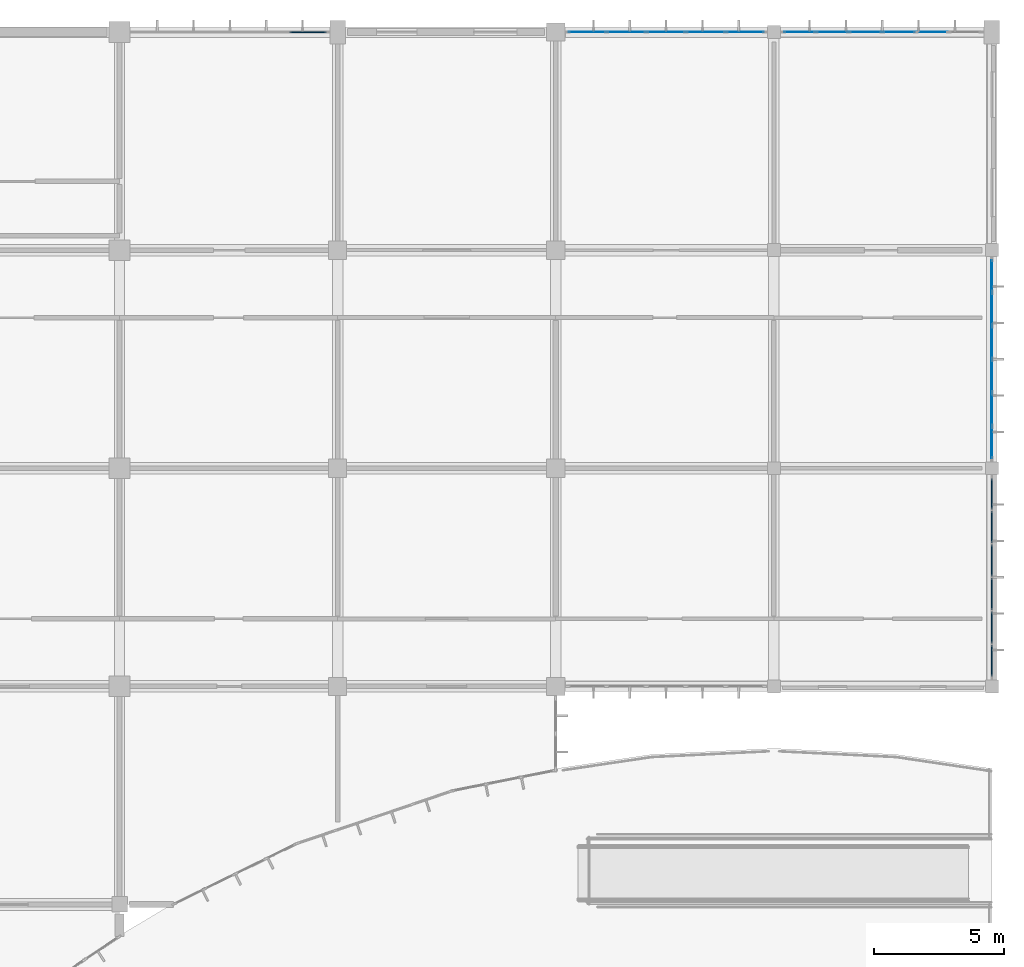
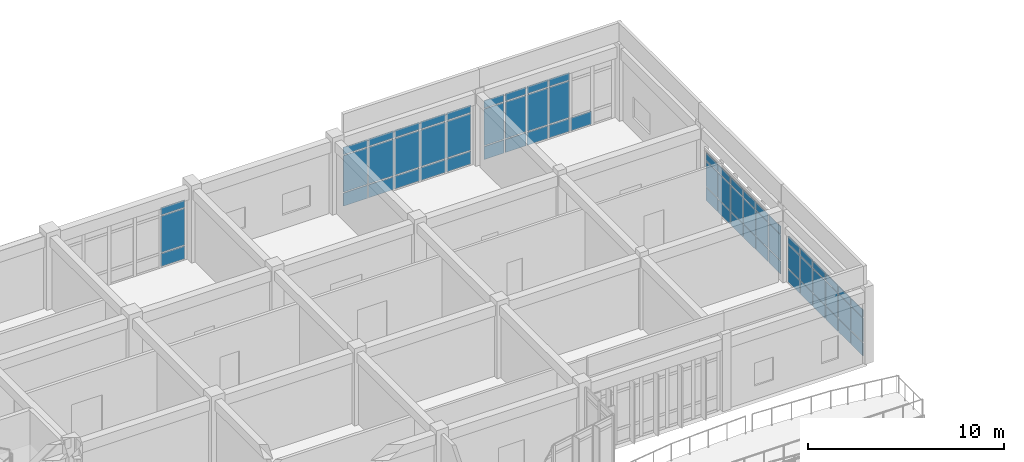
# One storey, part 82 of 138: 67 plates, 5 elements without a shape of their own.
"""IFC4 building model written with IfcOpenShell, lengths in metres."""

from ifc_helpers import new_model, si_unit, direction, frame, origin, origin_2d, place, context, subcontext, project, spatial, rectangle, extrude, material, layer, layer_set, type_object, element, aggregate, save


model = new_model("IFC4")

# Units and contexts
model_context = context("Model", 3, precision=1e-05, world=origin(), true_north=direction((0.0, 1.0)))
body_context = subcontext(model_context, "Body", "Model", "MODEL_VIEW")
ifc_project = project(units=[si_unit("LENGTHUNIT", "METRE"), si_unit("AREAUNIT", "SQUARE_METRE"), si_unit("VOLUMEUNIT", "CUBIC_METRE"), si_unit("PLANEANGLEUNIT", "RADIAN"), si_unit("MASSUNIT", "GRAM", prefix="KILO")], contexts=[model_context])

# Site, building, storey
site_placement = place(None, origin())
site = spatial("IfcSite", under=ifc_project, at=site_placement, CompositionType="ELEMENT")
building_placement = place(site_placement, origin())
building = spatial("IfcBuilding", under=site, at=building_placement, Name="Bramfleet General Hospital", CompositionType="ELEMENT")
storey_placement = place(building_placement, origin())
storey = spatial("IfcBuildingStorey", under=building, at=storey_placement, Name="L00", CompositionType="ELEMENT", Elevation=0.0)

# Curtain wall, plates
ifc_material_1 = material(Name="Anodised aluminium and low-E triple glazing", Category="aluminium")
ifc_layer_1 = layer(ifc_material_1, 0.179931640625, Name="CWT-CW-05")
ifc_layer_set_1 = layer_set([ifc_layer_1], Name="Anodised aluminium and low-E triple glazing")
curtain_wall_type_1 = type_object("IfcCurtainWallType", Name="CWT-CW-05", PredefinedType="USERDEFINED", material=ifc_layer_set_1)
curtain_wall_1_placement = place(storey_placement, origin())
curtain_wall_1 = element("IfcCurtainWall", 1, at=curtain_wall_1_placement, inside=storey, type_object=curtain_wall_type_1, Name="L00 Curtain Wall 5", ObjectType="Unitised curtain wall", PredefinedType="USERDEFINED")
ifc_material_2 = material(Name="Low-E laminated safety glass", Category="glass")
ifc_layer_2 = layer(ifc_material_2, 0.028076171875, Name="CWP-GLZ-1")
ifc_layer_set_2 = layer_set([ifc_layer_2], Name="Low-E laminated safety glass")
plate_type_1 = type_object("IfcPlateType", Name="CWP-GLZ-1", PredefinedType="CURTAIN_PANEL", material=ifc_layer_set_2)
plate_1_placement = place(storey_placement, frame((169.20751953125, 117.60009765625, 0.06494140625), z_axis=(0.0, 0.0, 1.0), x_axis=(1.0, 0.0, 0.0)))
plate_1 = element("IfcPlate", 2, at=plate_1_placement, type_object=plate_type_1, Name="CW-05 panel 1.1", PredefinedType="CURTAIN_PANEL", context=body_context, shape_type="SweptSolid", body=[
    extrude(rectangle(XDim=1.425048828125, YDim=0.028076171875, at=origin_2d()), origin(), (0.0, 0.0, 1.0), 0.802490234375),
])
plate_2_placement = place(storey_placement, frame((169.20751953125, 117.60009765625, 0.9326171875), z_axis=(0.0, 0.0, 1.0), x_axis=(1.0, 0.0, 0.0)))
plate_2 = element("IfcPlate", 3, at=plate_2_placement, type_object=plate_type_1, Name="CW-05 panel 1.2", PredefinedType="CURTAIN_PANEL", context=body_context, shape_type="SweptSolid", body=[
    extrude(rectangle(XDim=1.425048828125, YDim=0.028076171875, at=origin_2d()), origin(), (0.0, 0.0, 1.0), 2.27490234375),
])
plate_3_placement = place(storey_placement, frame((169.20751953125, 117.60009765625, 3.2724609375), z_axis=(0.0, 0.0, 1.0), x_axis=(1.0, 0.0, 0.0)))
plate_3 = element("IfcPlate", 4, at=plate_3_placement, type_object=plate_type_1, Name="CW-05 panel 1.3", PredefinedType="CURTAIN_PANEL", context=body_context, shape_type="SweptSolid", body=[
    extrude(rectangle(XDim=1.425048828125, YDim=0.028076171875, at=origin_2d()), origin(), (0.0, 0.0, 1.0), 0.452392578125),
])
plate_4_placement = place(storey_placement, frame((170.719970703125, 117.60009765625, 0.06494140625), z_axis=(0.0, 0.0, 1.0), x_axis=(1.0, 0.0, 0.0)))
plate_4 = element("IfcPlate", 5, at=plate_4_placement, type_object=plate_type_1, Name="CW-05 panel 2.1", PredefinedType="CURTAIN_PANEL", context=body_context, shape_type="SweptSolid", body=[
    extrude(rectangle(XDim=1.4599609375, YDim=0.028076171875, at=origin_2d()), origin(), (0.0, 0.0, 1.0), 0.802490234375),
])
plate_5_placement = place(storey_placement, frame((170.719970703125, 117.60009765625, 0.9326171875), z_axis=(0.0, 0.0, 1.0), x_axis=(1.0, 0.0, 0.0)))
plate_5 = element("IfcPlate", 6, at=plate_5_placement, type_object=plate_type_1, Name="CW-05 panel 2.2", PredefinedType="CURTAIN_PANEL", context=body_context, shape_type="SweptSolid", body=[
    extrude(rectangle(XDim=1.4599609375, YDim=0.028076171875, at=origin_2d()), origin(), (0.0, 0.0, 1.0), 2.27490234375),
])
plate_6_placement = place(storey_placement, frame((170.719970703125, 117.60009765625, 3.2724609375), z_axis=(0.0, 0.0, 1.0), x_axis=(1.0, 0.0, 0.0)))
plate_6 = element("IfcPlate", 7, at=plate_6_placement, type_object=plate_type_1, Name="CW-05 panel 2.3", PredefinedType="CURTAIN_PANEL", context=body_context, shape_type="SweptSolid", body=[
    extrude(rectangle(XDim=1.4599609375, YDim=0.028076171875, at=origin_2d()), origin(), (0.0, 0.0, 1.0), 0.452392578125),
])
plate_7_placement = place(storey_placement, frame((172.25, 117.60009765625, 0.06494140625), z_axis=(0.0, 0.0, 1.0), x_axis=(1.0, 0.0, 0.0)))
plate_7 = element("IfcPlate", 8, at=plate_7_placement, type_object=plate_type_1, Name="CW-05 panel 3.1", PredefinedType="CURTAIN_PANEL", context=body_context, shape_type="SweptSolid", body=[
    extrude(rectangle(XDim=1.4599609375, YDim=0.028076171875, at=origin_2d()), origin(), (0.0, 0.0, 1.0), 0.802490234375),
])
plate_8_placement = place(storey_placement, frame((172.25, 117.60009765625, 0.9326171875), z_axis=(0.0, 0.0, 1.0), x_axis=(1.0, 0.0, 0.0)))
plate_8 = element("IfcPlate", 9, at=plate_8_placement, type_object=plate_type_1, Name="CW-05 panel 3.2", PredefinedType="CURTAIN_PANEL", context=body_context, shape_type="SweptSolid", body=[
    extrude(rectangle(XDim=1.4599609375, YDim=0.028076171875, at=origin_2d()), origin(), (0.0, 0.0, 1.0), 2.27490234375),
])
plate_9_placement = place(storey_placement, frame((172.25, 117.60009765625, 3.2724609375), z_axis=(0.0, 0.0, 1.0), x_axis=(1.0, 0.0, 0.0)))
plate_9 = element("IfcPlate", 10, at=plate_9_placement, type_object=plate_type_1, Name="CW-05 panel 3.3", PredefinedType="CURTAIN_PANEL", context=body_context, shape_type="SweptSolid", body=[
    extrude(rectangle(XDim=1.4599609375, YDim=0.028076171875, at=origin_2d()), origin(), (0.0, 0.0, 1.0), 0.452392578125),
])
plate_10_placement = place(storey_placement, frame((173.780029296875, 117.60009765625, 0.06494140625), z_axis=(0.0, 0.0, 1.0), x_axis=(1.0, 0.0, 0.0)))
plate_10 = element("IfcPlate", 11, at=plate_10_placement, type_object=plate_type_1, Name="CW-05 panel 4.1", PredefinedType="CURTAIN_PANEL", context=body_context, shape_type="SweptSolid", body=[
    extrude(rectangle(XDim=1.4599609375, YDim=0.028076171875, at=origin_2d()), origin(), (0.0, 0.0, 1.0), 0.802490234375),
])
plate_11_placement = place(storey_placement, frame((173.780029296875, 117.60009765625, 0.9326171875), z_axis=(0.0, 0.0, 1.0), x_axis=(1.0, 0.0, 0.0)))
plate_11 = element("IfcPlate", 12, at=plate_11_placement, type_object=plate_type_1, Name="CW-05 panel 4.2", PredefinedType="CURTAIN_PANEL", context=body_context, shape_type="SweptSolid", body=[
    extrude(rectangle(XDim=1.4599609375, YDim=0.028076171875, at=origin_2d()), origin(), (0.0, 0.0, 1.0), 2.27490234375),
])
plate_12_placement = place(storey_placement, frame((173.780029296875, 117.60009765625, 3.2724609375), z_axis=(0.0, 0.0, 1.0), x_axis=(1.0, 0.0, 0.0)))
plate_12 = element("IfcPlate", 13, at=plate_12_placement, type_object=plate_type_1, Name="CW-05 panel 4.3", PredefinedType="CURTAIN_PANEL", context=body_context, shape_type="SweptSolid", body=[
    extrude(rectangle(XDim=1.4599609375, YDim=0.028076171875, at=origin_2d()), origin(), (0.0, 0.0, 1.0), 0.452392578125),
])
plate_13_placement = place(storey_placement, frame((175.29248046875, 117.60009765625, 0.06494140625), z_axis=(0.0, 0.0, 1.0), x_axis=(1.0, 0.0, 0.0)))
plate_13 = element("IfcPlate", 14, at=plate_13_placement, type_object=plate_type_1, Name="CW-05 panel 5.1", PredefinedType="CURTAIN_PANEL", context=body_context, shape_type="SweptSolid", body=[
    extrude(rectangle(XDim=1.425048828125, YDim=0.028076171875, at=origin_2d()), origin(), (0.0, 0.0, 1.0), 0.802490234375),
])
plate_14_placement = place(storey_placement, frame((175.29248046875, 117.60009765625, 0.9326171875), z_axis=(0.0, 0.0, 1.0), x_axis=(1.0, 0.0, 0.0)))
plate_14 = element("IfcPlate", 15, at=plate_14_placement, type_object=plate_type_1, Name="CW-05 panel 5.2", PredefinedType="CURTAIN_PANEL", context=body_context, shape_type="SweptSolid", body=[
    extrude(rectangle(XDim=1.425048828125, YDim=0.028076171875, at=origin_2d()), origin(), (0.0, 0.0, 1.0), 2.27490234375),
])
plate_15_placement = place(storey_placement, frame((175.29248046875, 117.60009765625, 3.2724609375), z_axis=(0.0, 0.0, 1.0), x_axis=(1.0, 0.0, 0.0)))
plate_15 = element("IfcPlate", 16, at=plate_15_placement, type_object=plate_type_1, Name="CW-05 panel 5.3", PredefinedType="CURTAIN_PANEL", context=body_context, shape_type="SweptSolid", body=[
    extrude(rectangle(XDim=1.425048828125, YDim=0.028076171875, at=origin_2d()), origin(), (0.0, 0.0, 1.0), 0.452392578125),
])
aggregate(curtain_wall_1, [plate_1, plate_2, plate_3, plate_4, plate_5, plate_6, plate_7, plate_8, plate_9, plate_10, plate_11, plate_12, plate_13, plate_14, plate_15])

ifc_layer_3 = layer(ifc_material_1, 0.179931640625, Name="CWT-CW-06")
ifc_layer_set_3 = layer_set([ifc_layer_3], Name="Anodised aluminium and low-E triple glazing")
curtain_wall_type_2 = type_object("IfcCurtainWallType", Name="CWT-CW-06", PredefinedType="USERDEFINED", material=ifc_layer_set_3)
curtain_wall_2_placement = place(storey_placement, origin())
curtain_wall_2 = element("IfcCurtainWall", 17, at=curtain_wall_2_placement, inside=storey, type_object=curtain_wall_type_2, Name="L00 Curtain Wall 6", ObjectType="Unitised curtain wall", PredefinedType="USERDEFINED")
ifc_layer_4 = layer(ifc_material_2, 0.031982421875, Name="CWP-GLZ-2")
ifc_layer_set_4 = layer_set([ifc_layer_4], Name="Low-E laminated safety glass")
plate_type_2 = type_object("IfcPlateType", Name="CWP-GLZ-2", PredefinedType="CURTAIN_PANEL", material=ifc_layer_set_4)
plate_16_placement = place(storey_placement, frame((177.38427734375, 117.60009765625, 0.06494140625), z_axis=(0.0, 0.0, 1.0), x_axis=(1.0, 0.0, 0.0)))
plate_16 = element("IfcPlate", 18, at=plate_16_placement, type_object=plate_type_2, Name="CW-06 panel 1.1", PredefinedType="CURTAIN_PANEL", context=body_context, shape_type="SweptSolid", body=[
    extrude(rectangle(XDim=1.17822265625, YDim=0.031982421875, at=origin_2d()), origin(), (0.0, 0.0, 1.0), 0.802490234375),
])
plate_17_placement = place(storey_placement, frame((177.38427734375, 117.60009765625, 0.9326171875), z_axis=(0.0, 0.0, 1.0), x_axis=(1.0, 0.0, 0.0)))
plate_17 = element("IfcPlate", 19, at=plate_17_placement, type_object=plate_type_2, Name="CW-06 panel 1.2", PredefinedType="CURTAIN_PANEL", context=body_context, shape_type="SweptSolid", body=[
    extrude(rectangle(XDim=1.17822265625, YDim=0.031982421875, at=origin_2d()), origin(), (0.0, 0.0, 1.0), 2.27490234375),
])
plate_18_placement = place(storey_placement, frame((177.38427734375, 117.60009765625, 3.2724609375), z_axis=(0.0, 0.0, 1.0), x_axis=(1.0, 0.0, 0.0)))
plate_18 = element("IfcPlate", 20, at=plate_18_placement, type_object=plate_type_2, Name="CW-06 panel 1.3", PredefinedType="CURTAIN_PANEL", context=body_context, shape_type="SweptSolid", body=[
    extrude(rectangle(XDim=1.17822265625, YDim=0.031982421875, at=origin_2d()), origin(), (0.0, 0.0, 1.0), 0.452392578125),
])
plate_19_placement = place(storey_placement, frame((178.64990234375, 117.60009765625, 0.06494140625), z_axis=(0.0, 0.0, 1.0), x_axis=(1.0, 0.0, 0.0)))
plate_19 = element("IfcPlate", 21, at=plate_19_placement, type_object=plate_type_2, Name="CW-06 panel 2.1", PredefinedType="CURTAIN_PANEL", context=body_context, shape_type="SweptSolid", body=[
    extrude(rectangle(XDim=1.21337890625, YDim=0.031982421875, at=origin_2d()), origin(), (0.0, 0.0, 1.0), 0.802490234375),
])
plate_20_placement = place(storey_placement, frame((178.64990234375, 117.60009765625, 0.9326171875), z_axis=(0.0, 0.0, 1.0), x_axis=(1.0, 0.0, 0.0)))
plate_20 = element("IfcPlate", 22, at=plate_20_placement, type_object=plate_type_2, Name="CW-06 panel 2.2", PredefinedType="CURTAIN_PANEL", context=body_context, shape_type="SweptSolid", body=[
    extrude(rectangle(XDim=1.21337890625, YDim=0.031982421875, at=origin_2d()), origin(), (0.0, 0.0, 1.0), 2.27490234375),
])
plate_21_placement = place(storey_placement, frame((178.64990234375, 117.60009765625, 3.2724609375), z_axis=(0.0, 0.0, 1.0), x_axis=(1.0, 0.0, 0.0)))
plate_21 = element("IfcPlate", 23, at=plate_21_placement, type_object=plate_type_2, Name="CW-06 panel 2.3", PredefinedType="CURTAIN_PANEL", context=body_context, shape_type="SweptSolid", body=[
    extrude(rectangle(XDim=1.21337890625, YDim=0.031982421875, at=origin_2d()), origin(), (0.0, 0.0, 1.0), 0.452392578125),
])
plate_22_placement = place(storey_placement, frame((179.933349609375, 117.60009765625, 0.06494140625), z_axis=(0.0, 0.0, 1.0), x_axis=(1.0, 0.0, 0.0)))
plate_22 = element("IfcPlate", 24, at=plate_22_placement, type_object=plate_type_2, Name="CW-06 panel 3.1", PredefinedType="CURTAIN_PANEL", context=body_context, shape_type="SweptSolid", body=[
    extrude(rectangle(XDim=1.21337890625, YDim=0.031982421875, at=origin_2d()), origin(), (0.0, 0.0, 1.0), 0.802490234375),
])
plate_23_placement = place(storey_placement, frame((179.933349609375, 117.60009765625, 0.9326171875), z_axis=(0.0, 0.0, 1.0), x_axis=(1.0, 0.0, 0.0)))
plate_23 = element("IfcPlate", 25, at=plate_23_placement, type_object=plate_type_2, Name="CW-06 panel 3.2", PredefinedType="CURTAIN_PANEL", context=body_context, shape_type="SweptSolid", body=[
    extrude(rectangle(XDim=1.21337890625, YDim=0.031982421875, at=origin_2d()), origin(), (0.0, 0.0, 1.0), 2.27490234375),
])
plate_24_placement = place(storey_placement, frame((179.933349609375, 117.60009765625, 3.2724609375), z_axis=(0.0, 0.0, 1.0), x_axis=(1.0, 0.0, 0.0)))
plate_24 = element("IfcPlate", 26, at=plate_24_placement, type_object=plate_type_2, Name="CW-06 panel 3.3", PredefinedType="CURTAIN_PANEL", context=body_context, shape_type="SweptSolid", body=[
    extrude(rectangle(XDim=1.21337890625, YDim=0.031982421875, at=origin_2d()), origin(), (0.0, 0.0, 1.0), 0.452392578125),
])
plate_25_placement = place(storey_placement, frame((181.216552734375, 117.60009765625, 0.06494140625), z_axis=(0.0, 0.0, 1.0), x_axis=(1.0, 0.0, 0.0)))
plate_25 = element("IfcPlate", 27, at=plate_25_placement, type_object=plate_type_2, Name="CW-06 panel 4.1", PredefinedType="CURTAIN_PANEL", context=body_context, shape_type="SweptSolid", body=[
    extrude(rectangle(XDim=1.21337890625, YDim=0.031982421875, at=origin_2d()), origin(), (0.0, 0.0, 1.0), 0.802490234375),
])
plate_26_placement = place(storey_placement, frame((181.216552734375, 117.60009765625, 0.9326171875), z_axis=(0.0, 0.0, 1.0), x_axis=(1.0, 0.0, 0.0)))
plate_26 = element("IfcPlate", 28, at=plate_26_placement, type_object=plate_type_2, Name="CW-06 panel 4.2", PredefinedType="CURTAIN_PANEL", context=body_context, shape_type="SweptSolid", body=[
    extrude(rectangle(XDim=1.21337890625, YDim=0.031982421875, at=origin_2d()), origin(), (0.0, 0.0, 1.0), 2.27490234375),
])
plate_27_placement = place(storey_placement, frame((181.216552734375, 117.60009765625, 3.2724609375), z_axis=(0.0, 0.0, 1.0), x_axis=(1.0, 0.0, 0.0)))
plate_27 = element("IfcPlate", 29, at=plate_27_placement, type_object=plate_type_2, Name="CW-06 panel 4.3", PredefinedType="CURTAIN_PANEL", context=body_context, shape_type="SweptSolid", body=[
    extrude(rectangle(XDim=1.21337890625, YDim=0.031982421875, at=origin_2d()), origin(), (0.0, 0.0, 1.0), 0.452392578125),
])
plate_28_placement = place(storey_placement, frame((182.5, 117.60009765625, 0.06494140625), z_axis=(0.0, 0.0, 1.0), x_axis=(1.0, 0.0, 0.0)))
plate_28 = element("IfcPlate", 30, at=plate_28_placement, type_object=plate_type_2, Name="CW-06 panel 5.1", PredefinedType="CURTAIN_PANEL", context=body_context, shape_type="SweptSolid", body=[
    extrude(rectangle(XDim=1.21337890625, YDim=0.031982421875, at=origin_2d()), origin(), (0.0, 0.0, 1.0), 0.802490234375),
])
aggregate(curtain_wall_2, [plate_16, plate_17, plate_18, plate_19, plate_20, plate_21, plate_22, plate_23, plate_24, plate_25, plate_26, plate_27, plate_28])

ifc_layer_5 = layer(ifc_material_1, 0.179931640625, Name="CWT-CW-07")
ifc_layer_set_5 = layer_set([ifc_layer_5], Name="Anodised aluminium and low-E triple glazing")
curtain_wall_type_3 = type_object("IfcCurtainWallType", Name="CWT-CW-07", PredefinedType="USERDEFINED", material=ifc_layer_set_5)
curtain_wall_3_placement = place(storey_placement, origin())
curtain_wall_3 = element("IfcCurtainWall", 31, at=curtain_wall_3_placement, inside=storey, type_object=curtain_wall_type_3, Name="L00 Curtain Wall 7", ObjectType="Unitised curtain wall", PredefinedType="USERDEFINED")
ifc_layer_6 = layer(ifc_material_2, 0.035888671875, Name="CWP-GLZ-3")
ifc_layer_set_6 = layer_set([ifc_layer_6], Name="Low-E laminated safety glass")
plate_type_3 = type_object("IfcPlateType", Name="CWP-GLZ-3", PredefinedType="CURTAIN_PANEL", material=ifc_layer_set_6)
plate_29_placement = place(storey_placement, frame((184.800048828125, 108.211669921875, 0.06494140625), z_axis=(0.0, 0.0, 1.0), x_axis=(0.0, -1.0, 0.0)))
plate_29 = element("IfcPlate", 32, at=plate_29_placement, type_object=plate_type_3, Name="CW-07 panel 1.1", PredefinedType="CURTAIN_PANEL", context=body_context, shape_type="SweptSolid", body=[
    extrude(rectangle(XDim=1.186767578125, YDim=0.035888671875, at=origin_2d()), origin(), (0.0, 0.0, 1.0), 0.802490234375),
])
plate_30_placement = place(storey_placement, frame((184.800048828125, 108.211669921875, 0.9326171875), z_axis=(0.0, 0.0, 1.0), x_axis=(0.0, -1.0, 0.0)))
plate_30 = element("IfcPlate", 33, at=plate_30_placement, type_object=plate_type_3, Name="CW-07 panel 1.2", PredefinedType="CURTAIN_PANEL", context=body_context, shape_type="SweptSolid", body=[
    extrude(rectangle(XDim=1.186767578125, YDim=0.035888671875, at=origin_2d()), origin(), (0.0, 0.0, 1.0), 1.574951171875),
])
plate_31_placement = place(storey_placement, frame((184.800048828125, 108.211669921875, 2.57275390625), z_axis=(0.0, 0.0, 1.0), x_axis=(0.0, -1.0, 0.0)))
plate_31 = element("IfcPlate", 34, at=plate_31_placement, type_object=plate_type_3, Name="CW-07 panel 1.3", PredefinedType="CURTAIN_PANEL", context=body_context, shape_type="SweptSolid", body=[
    extrude(rectangle(XDim=1.186767578125, YDim=0.035888671875, at=origin_2d()), origin(), (0.0, 0.0, 1.0), 0.452392578125),
])
plate_32_placement = place(storey_placement, frame((184.800048828125, 106.9375, 0.06494140625), z_axis=(0.0, 0.0, 1.0), x_axis=(0.0, -1.0, 0.0)))
plate_32 = element("IfcPlate", 35, at=plate_32_placement, type_object=plate_type_3, Name="CW-07 panel 2.1", PredefinedType="CURTAIN_PANEL", context=body_context, shape_type="SweptSolid", body=[
    extrude(rectangle(XDim=1.2216796875, YDim=0.035888671875, at=origin_2d()), origin(), (0.0, 0.0, 1.0), 0.802490234375),
])
plate_33_placement = place(storey_placement, frame((184.800048828125, 106.9375, 0.9326171875), z_axis=(0.0, 0.0, 1.0), x_axis=(0.0, -1.0, 0.0)))
plate_33 = element("IfcPlate", 36, at=plate_33_placement, type_object=plate_type_3, Name="CW-07 panel 2.2", PredefinedType="CURTAIN_PANEL", context=body_context, shape_type="SweptSolid", body=[
    extrude(rectangle(XDim=1.2216796875, YDim=0.035888671875, at=origin_2d()), origin(), (0.0, 0.0, 1.0), 1.574951171875),
])
plate_34_placement = place(storey_placement, frame((184.800048828125, 106.9375, 2.57275390625), z_axis=(0.0, 0.0, 1.0), x_axis=(0.0, -1.0, 0.0)))
plate_34 = element("IfcPlate", 37, at=plate_34_placement, type_object=plate_type_3, Name="CW-07 panel 2.3", PredefinedType="CURTAIN_PANEL", context=body_context, shape_type="SweptSolid", body=[
    extrude(rectangle(XDim=1.2216796875, YDim=0.035888671875, at=origin_2d()), origin(), (0.0, 0.0, 1.0), 0.452392578125),
])
plate_35_placement = place(storey_placement, frame((184.800048828125, 105.645751953125, 0.06494140625), z_axis=(0.0, 0.0, 1.0), x_axis=(0.0, -1.0, 0.0)))
plate_35 = element("IfcPlate", 38, at=plate_35_placement, type_object=plate_type_3, Name="CW-07 panel 3.1", PredefinedType="CURTAIN_PANEL", context=body_context, shape_type="SweptSolid", body=[
    extrude(rectangle(XDim=1.2216796875, YDim=0.035888671875, at=origin_2d()), origin(), (0.0, 0.0, 1.0), 0.802490234375),
])
plate_36_placement = place(storey_placement, frame((184.800048828125, 105.645751953125, 0.9326171875), z_axis=(0.0, 0.0, 1.0), x_axis=(0.0, -1.0, 0.0)))
plate_36 = element("IfcPlate", 39, at=plate_36_placement, type_object=plate_type_3, Name="CW-07 panel 3.2", PredefinedType="CURTAIN_PANEL", context=body_context, shape_type="SweptSolid", body=[
    extrude(rectangle(XDim=1.2216796875, YDim=0.035888671875, at=origin_2d()), origin(), (0.0, 0.0, 1.0), 1.574951171875),
])
plate_37_placement = place(storey_placement, frame((184.800048828125, 105.645751953125, 2.57275390625), z_axis=(0.0, 0.0, 1.0), x_axis=(0.0, -1.0, 0.0)))
plate_37 = element("IfcPlate", 40, at=plate_37_placement, type_object=plate_type_3, Name="CW-07 panel 3.3", PredefinedType="CURTAIN_PANEL", context=body_context, shape_type="SweptSolid", body=[
    extrude(rectangle(XDim=1.2216796875, YDim=0.035888671875, at=origin_2d()), origin(), (0.0, 0.0, 1.0), 0.452392578125),
])
plate_38_placement = place(storey_placement, frame((184.800048828125, 104.354248046875, 0.06494140625), z_axis=(0.0, 0.0, 1.0), x_axis=(0.0, -1.0, 0.0)))
plate_38 = element("IfcPlate", 41, at=plate_38_placement, type_object=plate_type_3, Name="CW-07 panel 4.1", PredefinedType="CURTAIN_PANEL", context=body_context, shape_type="SweptSolid", body=[
    extrude(rectangle(XDim=1.2216796875, YDim=0.035888671875, at=origin_2d()), origin(), (0.0, 0.0, 1.0), 0.802490234375),
])
plate_39_placement = place(storey_placement, frame((184.800048828125, 104.354248046875, 0.9326171875), z_axis=(0.0, 0.0, 1.0), x_axis=(0.0, -1.0, 0.0)))
plate_39 = element("IfcPlate", 42, at=plate_39_placement, type_object=plate_type_3, Name="CW-07 panel 4.2", PredefinedType="CURTAIN_PANEL", context=body_context, shape_type="SweptSolid", body=[
    extrude(rectangle(XDim=1.2216796875, YDim=0.035888671875, at=origin_2d()), origin(), (0.0, 0.0, 1.0), 1.574951171875),
])
plate_40_placement = place(storey_placement, frame((184.800048828125, 104.354248046875, 2.57275390625), z_axis=(0.0, 0.0, 1.0), x_axis=(0.0, -1.0, 0.0)))
plate_40 = element("IfcPlate", 43, at=plate_40_placement, type_object=plate_type_3, Name="CW-07 panel 4.3", PredefinedType="CURTAIN_PANEL", context=body_context, shape_type="SweptSolid", body=[
    extrude(rectangle(XDim=1.2216796875, YDim=0.035888671875, at=origin_2d()), origin(), (0.0, 0.0, 1.0), 0.452392578125),
])
plate_41_placement = place(storey_placement, frame((184.800048828125, 103.0625, 0.06494140625), z_axis=(0.0, 0.0, 1.0), x_axis=(0.0, -1.0, 0.0)))
plate_41 = element("IfcPlate", 44, at=plate_41_placement, type_object=plate_type_3, Name="CW-07 panel 5.1", PredefinedType="CURTAIN_PANEL", context=body_context, shape_type="SweptSolid", body=[
    extrude(rectangle(XDim=1.2216796875, YDim=0.035888671875, at=origin_2d()), origin(), (0.0, 0.0, 1.0), 0.802490234375),
])
plate_42_placement = place(storey_placement, frame((184.800048828125, 103.0625, 0.9326171875), z_axis=(0.0, 0.0, 1.0), x_axis=(0.0, -1.0, 0.0)))
plate_42 = element("IfcPlate", 45, at=plate_42_placement, type_object=plate_type_3, Name="CW-07 panel 5.2", PredefinedType="CURTAIN_PANEL", context=body_context, shape_type="SweptSolid", body=[
    extrude(rectangle(XDim=1.2216796875, YDim=0.035888671875, at=origin_2d()), origin(), (0.0, 0.0, 1.0), 1.574951171875),
])
plate_43_placement = place(storey_placement, frame((184.800048828125, 103.0625, 2.57275390625), z_axis=(0.0, 0.0, 1.0), x_axis=(0.0, -1.0, 0.0)))
plate_43 = element("IfcPlate", 46, at=plate_43_placement, type_object=plate_type_3, Name="CW-07 panel 5.3", PredefinedType="CURTAIN_PANEL", context=body_context, shape_type="SweptSolid", body=[
    extrude(rectangle(XDim=1.2216796875, YDim=0.035888671875, at=origin_2d()), origin(), (0.0, 0.0, 1.0), 0.452392578125),
])
plate_44_placement = place(storey_placement, frame((184.800048828125, 101.788330078125, 0.06494140625), z_axis=(0.0, 0.0, 1.0), x_axis=(0.0, -1.0, 0.0)))
plate_44 = element("IfcPlate", 47, at=plate_44_placement, type_object=plate_type_3, Name="CW-07 panel 6.1", PredefinedType="CURTAIN_PANEL", context=body_context, shape_type="SweptSolid", body=[
    extrude(rectangle(XDim=1.186767578125, YDim=0.035888671875, at=origin_2d()), origin(), (0.0, 0.0, 1.0), 0.802490234375),
])
plate_45_placement = place(storey_placement, frame((184.800048828125, 101.788330078125, 0.9326171875), z_axis=(0.0, 0.0, 1.0), x_axis=(0.0, -1.0, 0.0)))
plate_45 = element("IfcPlate", 48, at=plate_45_placement, type_object=plate_type_3, Name="CW-07 panel 6.2", PredefinedType="CURTAIN_PANEL", context=body_context, shape_type="SweptSolid", body=[
    extrude(rectangle(XDim=1.186767578125, YDim=0.035888671875, at=origin_2d()), origin(), (0.0, 0.0, 1.0), 1.574951171875),
])
plate_46_placement = place(storey_placement, frame((184.800048828125, 101.788330078125, 2.57275390625), z_axis=(0.0, 0.0, 1.0), x_axis=(0.0, -1.0, 0.0)))
plate_46 = element("IfcPlate", 49, at=plate_46_placement, type_object=plate_type_3, Name="CW-07 panel 6.3", PredefinedType="CURTAIN_PANEL", context=body_context, shape_type="SweptSolid", body=[
    extrude(rectangle(XDim=1.186767578125, YDim=0.035888671875, at=origin_2d()), origin(), (0.0, 0.0, 1.0), 0.452392578125),
])
aggregate(curtain_wall_3, [plate_29, plate_30, plate_31, plate_32, plate_33, plate_34, plate_35, plate_36, plate_37, plate_38, plate_39, plate_40, plate_41, plate_42, plate_43, plate_44, plate_45, plate_46])

ifc_layer_7 = layer(ifc_material_1, 0.179931640625, Name="CWT-CW-04")
ifc_layer_set_7 = layer_set([ifc_layer_7], Name="Anodised aluminium and low-E triple glazing")
curtain_wall_type_4 = type_object("IfcCurtainWallType", Name="CWT-CW-04", PredefinedType="USERDEFINED", material=ifc_layer_set_7)
curtain_wall_4_placement = place(storey_placement, origin())
curtain_wall_4 = element("IfcCurtainWall", 50, at=curtain_wall_4_placement, inside=storey, type_object=curtain_wall_type_4, Name="L00 Curtain Wall 4", ObjectType="Unitised curtain wall", PredefinedType="USERDEFINED")
ifc_layer_8 = layer(ifc_material_2, 0.0419921875, Name="CWP-GLZ-4")
ifc_layer_set_8 = layer_set([ifc_layer_8], Name="Low-E laminated safety glass")
plate_type_4 = type_object("IfcPlateType", Name="CWP-GLZ-4", PredefinedType="CURTAIN_PANEL", material=ifc_layer_set_8)
plate_47_placement = place(storey_placement, frame((158.452392578125, 117.60009765625, 0.06494140625), z_axis=(0.0, 0.0, 1.0), x_axis=(1.0, 0.0, 0.0)))
plate_47 = element("IfcPlate", 51, at=plate_47_placement, type_object=plate_type_4, Name="CW-04 panel 5.1", PredefinedType="CURTAIN_PANEL", context=body_context, shape_type="SweptSolid", body=[
    extrude(rectangle(XDim=1.405029296875, YDim=0.0419921875, at=origin_2d()), origin(), (0.0, 0.0, 1.0), 0.802490234375),
])
plate_48_placement = place(storey_placement, frame((158.452392578125, 117.60009765625, 0.9326171875), z_axis=(0.0, 0.0, 1.0), x_axis=(1.0, 0.0, 0.0)))
plate_48 = element("IfcPlate", 52, at=plate_48_placement, type_object=plate_type_4, Name="CW-04 panel 5.2", PredefinedType="CURTAIN_PANEL", context=body_context, shape_type="SweptSolid", body=[
    extrude(rectangle(XDim=1.405029296875, YDim=0.0419921875, at=origin_2d()), origin(), (0.0, 0.0, 1.0), 2.27490234375),
])
plate_49_placement = place(storey_placement, frame((158.452392578125, 117.60009765625, 3.2724609375), z_axis=(0.0, 0.0, 1.0), x_axis=(1.0, 0.0, 0.0)))
plate_49 = element("IfcPlate", 53, at=plate_49_placement, type_object=plate_type_4, Name="CW-04 panel 5.3", PredefinedType="CURTAIN_PANEL", context=body_context, shape_type="SweptSolid", body=[
    extrude(rectangle(XDim=1.405029296875, YDim=0.0419921875, at=origin_2d()), origin(), (0.0, 0.0, 1.0), 0.452392578125),
])
aggregate(curtain_wall_4, [plate_47, plate_48, plate_49])

ifc_layer_9 = layer(ifc_material_1, 0.179931640625, Name="CWT-CW-08")
ifc_layer_set_9 = layer_set([ifc_layer_9], Name="Anodised aluminium and low-E triple glazing")
curtain_wall_type_5 = type_object("IfcCurtainWallType", Name="CWT-CW-08", PredefinedType="USERDEFINED", material=ifc_layer_set_9)
curtain_wall_5_placement = place(storey_placement, origin())
curtain_wall_5 = element("IfcCurtainWall", 54, at=curtain_wall_5_placement, inside=storey, type_object=curtain_wall_type_5, Name="L00 Curtain Wall 8", ObjectType="Unitised curtain wall", PredefinedType="USERDEFINED")
plate_50_placement = place(storey_placement, frame((184.800048828125, 99.811767578125, 0.06494140625), z_axis=(0.0, 0.0, 1.0), x_axis=(0.0, -1.0, 0.0)))
plate_50 = element("IfcPlate", 55, at=plate_50_placement, type_object=plate_type_4, Name="CW-08 panel 1.1", PredefinedType="CURTAIN_PANEL", context=body_context, shape_type="SweptSolid", body=[
    extrude(rectangle(XDim=1.186767578125, YDim=0.0419921875, at=origin_2d()), origin(), (0.0, 0.0, 1.0), 0.802490234375),
])
plate_51_placement = place(storey_placement, frame((184.800048828125, 99.811767578125, 0.932373046875), z_axis=(0.0, 0.0, 1.0), x_axis=(0.0, -1.0, 0.0)))
plate_51 = element("IfcPlate", 56, at=plate_51_placement, type_object=plate_type_4, Name="CW-08 panel 1.2", PredefinedType="CURTAIN_PANEL", context=body_context, shape_type="SweptSolid", body=[
    extrude(rectangle(XDim=1.186767578125, YDim=0.0419921875, at=origin_2d()), origin(), (0.0, 0.0, 1.0), 1.47509765625),
])
plate_52_placement = place(storey_placement, frame((184.800048828125, 99.811767578125, 2.47265625), z_axis=(0.0, 0.0, 1.0), x_axis=(0.0, -1.0, 0.0)))
plate_52 = element("IfcPlate", 57, at=plate_52_placement, type_object=plate_type_4, Name="CW-08 panel 1.3", PredefinedType="CURTAIN_PANEL", context=body_context, shape_type="SweptSolid", body=[
    extrude(rectangle(XDim=1.186767578125, YDim=0.0419921875, at=origin_2d()), origin(), (0.0, 0.0, 1.0), 0.452392578125),
])
plate_53_placement = place(storey_placement, frame((184.800048828125, 98.53759765625, 0.06494140625), z_axis=(0.0, 0.0, 1.0), x_axis=(0.0, -1.0, 0.0)))
plate_53 = element("IfcPlate", 58, at=plate_53_placement, type_object=plate_type_4, Name="CW-08 panel 2.1", PredefinedType="CURTAIN_PANEL", context=body_context, shape_type="SweptSolid", body=[
    extrude(rectangle(XDim=1.2216796875, YDim=0.0419921875, at=origin_2d()), origin(), (0.0, 0.0, 1.0), 0.802490234375),
])
plate_54_placement = place(storey_placement, frame((184.800048828125, 98.53759765625, 0.932373046875), z_axis=(0.0, 0.0, 1.0), x_axis=(0.0, -1.0, 0.0)))
plate_54 = element("IfcPlate", 59, at=plate_54_placement, type_object=plate_type_4, Name="CW-08 panel 2.2", PredefinedType="CURTAIN_PANEL", context=body_context, shape_type="SweptSolid", body=[
    extrude(rectangle(XDim=1.2216796875, YDim=0.0419921875, at=origin_2d()), origin(), (0.0, 0.0, 1.0), 1.47509765625),
])
plate_55_placement = place(storey_placement, frame((184.800048828125, 98.53759765625, 2.47265625), z_axis=(0.0, 0.0, 1.0), x_axis=(0.0, -1.0, 0.0)))
plate_55 = element("IfcPlate", 60, at=plate_55_placement, type_object=plate_type_4, Name="CW-08 panel 2.3", PredefinedType="CURTAIN_PANEL", context=body_context, shape_type="SweptSolid", body=[
    extrude(rectangle(XDim=1.2216796875, YDim=0.0419921875, at=origin_2d()), origin(), (0.0, 0.0, 1.0), 0.452392578125),
])
plate_56_placement = place(storey_placement, frame((184.800048828125, 97.245849609375, 0.06494140625), z_axis=(0.0, 0.0, 1.0), x_axis=(0.0, -1.0, 0.0)))
plate_56 = element("IfcPlate", 61, at=plate_56_placement, type_object=plate_type_4, Name="CW-08 panel 3.1", PredefinedType="CURTAIN_PANEL", context=body_context, shape_type="SweptSolid", body=[
    extrude(rectangle(XDim=1.2216796875, YDim=0.0419921875, at=origin_2d()), origin(), (0.0, 0.0, 1.0), 0.802490234375),
])
plate_57_placement = place(storey_placement, frame((184.800048828125, 97.245849609375, 0.932373046875), z_axis=(0.0, 0.0, 1.0), x_axis=(0.0, -1.0, 0.0)))
plate_57 = element("IfcPlate", 62, at=plate_57_placement, type_object=plate_type_4, Name="CW-08 panel 3.2", PredefinedType="CURTAIN_PANEL", context=body_context, shape_type="SweptSolid", body=[
    extrude(rectangle(XDim=1.2216796875, YDim=0.0419921875, at=origin_2d()), origin(), (0.0, 0.0, 1.0), 1.47509765625),
])
plate_58_placement = place(storey_placement, frame((184.800048828125, 97.245849609375, 2.47265625), z_axis=(0.0, 0.0, 1.0), x_axis=(0.0, -1.0, 0.0)))
plate_58 = element("IfcPlate", 63, at=plate_58_placement, type_object=plate_type_4, Name="CW-08 panel 3.3", PredefinedType="CURTAIN_PANEL", context=body_context, shape_type="SweptSolid", body=[
    extrude(rectangle(XDim=1.2216796875, YDim=0.0419921875, at=origin_2d()), origin(), (0.0, 0.0, 1.0), 0.452392578125),
])
plate_59_placement = place(storey_placement, frame((184.800048828125, 95.9541015625, 0.06494140625), z_axis=(0.0, 0.0, 1.0), x_axis=(0.0, -1.0, 0.0)))
plate_59 = element("IfcPlate", 64, at=plate_59_placement, type_object=plate_type_4, Name="CW-08 panel 4.1", PredefinedType="CURTAIN_PANEL", context=body_context, shape_type="SweptSolid", body=[
    extrude(rectangle(XDim=1.2216796875, YDim=0.0419921875, at=origin_2d()), origin(), (0.0, 0.0, 1.0), 0.802490234375),
])
plate_60_placement = place(storey_placement, frame((184.800048828125, 95.9541015625, 0.932373046875), z_axis=(0.0, 0.0, 1.0), x_axis=(0.0, -1.0, 0.0)))
plate_60 = element("IfcPlate", 65, at=plate_60_placement, type_object=plate_type_4, Name="CW-08 panel 4.2", PredefinedType="CURTAIN_PANEL", context=body_context, shape_type="SweptSolid", body=[
    extrude(rectangle(XDim=1.2216796875, YDim=0.0419921875, at=origin_2d()), origin(), (0.0, 0.0, 1.0), 1.47509765625),
])
plate_61_placement = place(storey_placement, frame((184.800048828125, 95.9541015625, 2.47265625), z_axis=(0.0, 0.0, 1.0), x_axis=(0.0, -1.0, 0.0)))
plate_61 = element("IfcPlate", 66, at=plate_61_placement, type_object=plate_type_4, Name="CW-08 panel 4.3", PredefinedType="CURTAIN_PANEL", context=body_context, shape_type="SweptSolid", body=[
    extrude(rectangle(XDim=1.2216796875, YDim=0.0419921875, at=origin_2d()), origin(), (0.0, 0.0, 1.0), 0.452392578125),
])
plate_62_placement = place(storey_placement, frame((184.800048828125, 94.66259765625, 0.06494140625), z_axis=(0.0, 0.0, 1.0), x_axis=(0.0, -1.0, 0.0)))
plate_62 = element("IfcPlate", 67, at=plate_62_placement, type_object=plate_type_4, Name="CW-08 panel 5.1", PredefinedType="CURTAIN_PANEL", context=body_context, shape_type="SweptSolid", body=[
    extrude(rectangle(XDim=1.2216796875, YDim=0.0419921875, at=origin_2d()), origin(), (0.0, 0.0, 1.0), 0.802490234375),
])
plate_63_placement = place(storey_placement, frame((184.800048828125, 94.66259765625, 0.932373046875), z_axis=(0.0, 0.0, 1.0), x_axis=(0.0, -1.0, 0.0)))
plate_63 = element("IfcPlate", 68, at=plate_63_placement, type_object=plate_type_4, Name="CW-08 panel 5.2", PredefinedType="CURTAIN_PANEL", context=body_context, shape_type="SweptSolid", body=[
    extrude(rectangle(XDim=1.2216796875, YDim=0.0419921875, at=origin_2d()), origin(), (0.0, 0.0, 1.0), 1.47509765625),
])
plate_64_placement = place(storey_placement, frame((184.800048828125, 94.66259765625, 2.47265625), z_axis=(0.0, 0.0, 1.0), x_axis=(0.0, -1.0, 0.0)))
plate_64 = element("IfcPlate", 69, at=plate_64_placement, type_object=plate_type_4, Name="CW-08 panel 5.3", PredefinedType="CURTAIN_PANEL", context=body_context, shape_type="SweptSolid", body=[
    extrude(rectangle(XDim=1.2216796875, YDim=0.0419921875, at=origin_2d()), origin(), (0.0, 0.0, 1.0), 0.452392578125),
])
plate_65_placement = place(storey_placement, frame((184.800048828125, 93.388427734375, 0.06494140625), z_axis=(0.0, 0.0, 1.0), x_axis=(0.0, -1.0, 0.0)))
plate_65 = element("IfcPlate", 70, at=plate_65_placement, type_object=plate_type_4, Name="CW-08 panel 6.1", PredefinedType="CURTAIN_PANEL", context=body_context, shape_type="SweptSolid", body=[
    extrude(rectangle(XDim=1.186767578125, YDim=0.0419921875, at=origin_2d()), origin(), (0.0, 0.0, 1.0), 0.802490234375),
])
plate_66_placement = place(storey_placement, frame((184.800048828125, 93.388427734375, 0.932373046875), z_axis=(0.0, 0.0, 1.0), x_axis=(0.0, -1.0, 0.0)))
plate_66 = element("IfcPlate", 71, at=plate_66_placement, type_object=plate_type_4, Name="CW-08 panel 6.2", PredefinedType="CURTAIN_PANEL", context=body_context, shape_type="SweptSolid", body=[
    extrude(rectangle(XDim=1.186767578125, YDim=0.0419921875, at=origin_2d()), origin(), (0.0, 0.0, 1.0), 1.47509765625),
])
plate_67_placement = place(storey_placement, frame((184.800048828125, 93.388427734375, 2.47265625), z_axis=(0.0, 0.0, 1.0), x_axis=(0.0, -1.0, 0.0)))
plate_67 = element("IfcPlate", 72, at=plate_67_placement, type_object=plate_type_4, Name="CW-08 panel 6.3", PredefinedType="CURTAIN_PANEL", context=body_context, shape_type="SweptSolid", body=[
    extrude(rectangle(XDim=1.186767578125, YDim=0.0419921875, at=origin_2d()), origin(), (0.0, 0.0, 1.0), 0.452392578125),
])
aggregate(curtain_wall_5, [plate_50, plate_51, plate_52, plate_53, plate_54, plate_55, plate_56, plate_57, plate_58, plate_59, plate_60, plate_61, plate_62, plate_63, plate_64, plate_65, plate_66, plate_67])

save(model, "model.ifc")
